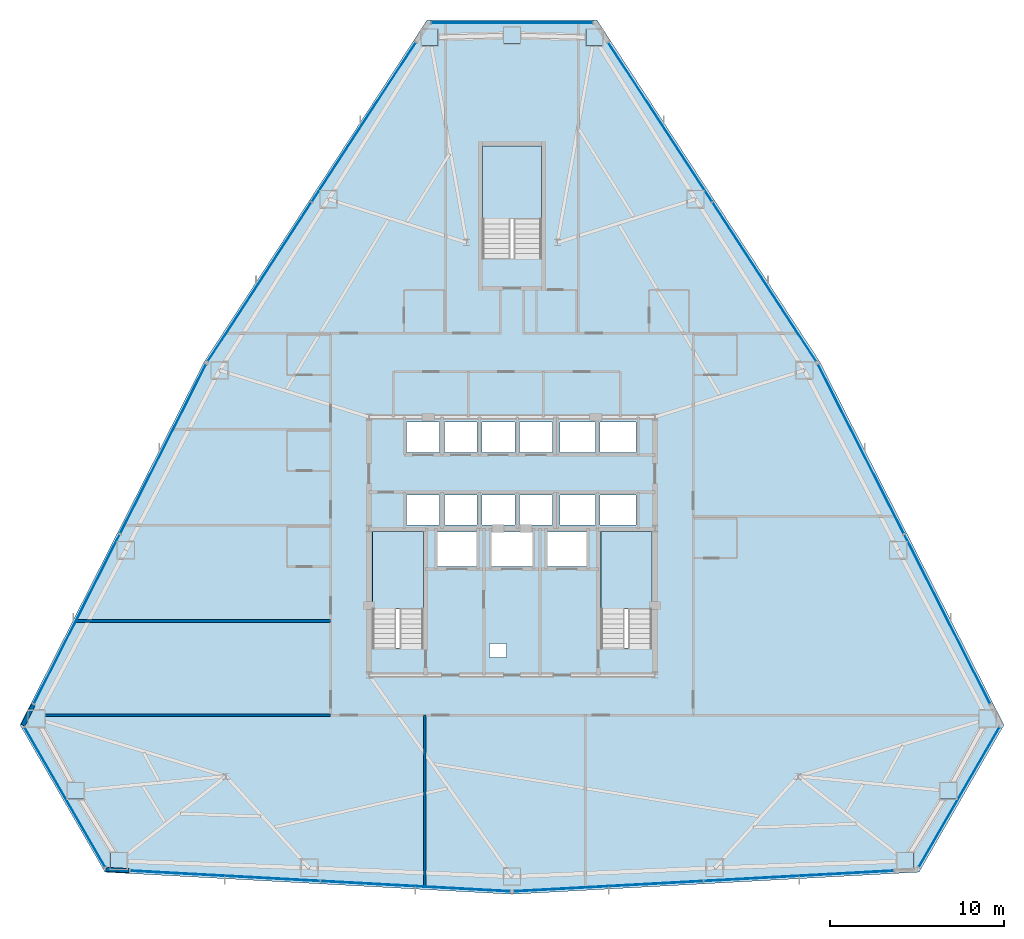
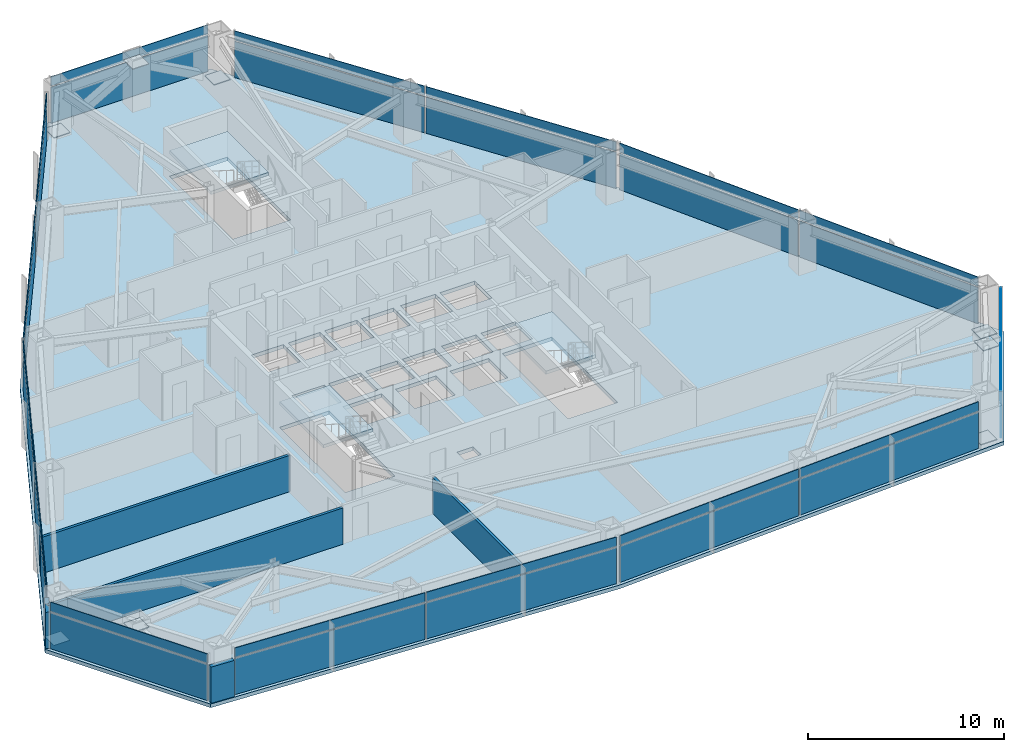
# One storey, part 8 of 12: 39 plates, 5 walls, 4 slabs, 12 elements without a shape of their own.
"""IFC4 building model written with IfcOpenShell, lengths in metres."""

from ifc_helpers import new_model, si_unit, direction, frame, frame_2d, origin, origin_2d, place, context, subcontext, project, spatial, polyline, rectangle, outline, extrude, source, transform, mapped, material, layer, layer_set, type_object, type_shapes, element, aggregate, save


model = new_model("IFC4")

# Units and contexts
model_context = context("Model", 3, precision=1e-05, world=origin(), true_north=direction((0.0, 1.0)))
body_context = subcontext(model_context, "Body", "Model", "MODEL_VIEW")
ifc_project = project(units=[si_unit("LENGTHUNIT", "METRE"), si_unit("AREAUNIT", "SQUARE_METRE"), si_unit("VOLUMEUNIT", "CUBIC_METRE"), si_unit("PLANEANGLEUNIT", "RADIAN"), si_unit("MASSUNIT", "GRAM", prefix="KILO")], contexts=[model_context])

# Site, building, storey
site_placement = place(None, origin())
site = spatial("IfcSite", under=ifc_project, at=site_placement, CompositionType="ELEMENT")
building_placement = place(site_placement, origin())
building = spatial("IfcBuilding", under=site, at=building_placement, Name="Varakhsha Concourse Tower", CompositionType="ELEMENT")
storey_placement = place(building_placement, frame((0.0, 0.0, 73.39990234375)))
storey = spatial("IfcBuildingStorey", under=building, at=storey_placement, Name="L20", CompositionType="ELEMENT", Elevation=73.39990234375)

# Slab
ifc_material_1 = material(Name="Concrete fc 45 MPa", Category="concrete")
ifc_layer_1 = layer(ifc_material_1, 0.22998046875, Name="SL-FLR-230")
ifc_layer_set_1 = layer_set([ifc_layer_1], Name="Concrete fc 45 MPa")
slab_type_1 = type_object("IfcSlabType", Name="SL-FLR-230", PredefinedType="FLOOR", material=ifc_layer_set_1)
slab_1_placement = place(storey_placement, frame((0.0, 0.0, -0.22998046875)))
element("IfcSlab", 1, at=slab_1_placement, inside=storey, type_object=slab_type_1, Name="L20 Composite Structural Slab", PredefinedType="FLOOR", context=body_context, shape_type="SweptSolid", body=[
    extrude(outline(polyline([(44.87158203125, 53.96240234375), (35.12841796875, 53.96240234375), (22.360595703125, 34.384033203125), (11.789306640625, 13.53759765625), (16.66064453125, 5.10009765625), (40.0, 3.831787109375), (63.33935546875, 5.10009765625), (68.210693359375, 13.53759765625), (57.639404296875, 34.384033203125), (44.87158203125, 53.96240234375)]), holes=[polyline([(34.919921875, 17.93994140625), (34.919921875, 24.6298828125), (32.0, 24.6298828125), (32.0, 17.93994140625), (34.919921875, 17.93994140625)]), polyline([(48.02001953125, 17.93994140625), (48.02001953125, 24.6298828125), (45.10009765625, 24.6298828125), (45.10009765625, 17.93994140625), (48.02001953125, 17.93994140625)]), polyline([(41.699951171875, 40.300048828125), (41.699951171875, 46.75), (38.300048828125, 46.75), (38.300048828125, 40.300048828125), (41.699951171875, 40.300048828125)]), polyline([(33.9599609375, 29.159912109375), (35.840087890625, 29.159912109375), (35.840087890625, 30.89990234375), (33.9599609375, 30.89990234375), (33.9599609375, 29.159912109375)]), polyline([(36.1201171875, 29.159912109375), (38.0, 29.159912109375), (38.0, 30.89990234375), (36.1201171875, 30.89990234375), (36.1201171875, 29.159912109375)]), polyline([(38.280029296875, 29.159912109375), (40.159912109375, 29.159912109375), (40.159912109375, 30.89990234375), (38.280029296875, 30.89990234375), (38.280029296875, 29.159912109375)]), polyline([(40.43994140625, 29.159912109375), (42.320068359375, 29.159912109375), (42.320068359375, 30.89990234375), (40.43994140625, 30.89990234375), (40.43994140625, 29.159912109375)]), polyline([(33.9599609375, 25.0), (35.840087890625, 25.0), (35.840087890625, 26.739990234375), (33.9599609375, 26.739990234375), (33.9599609375, 25.0)]), polyline([(36.1201171875, 25.0), (38.0, 25.0), (38.0, 26.739990234375), (36.1201171875, 26.739990234375), (36.1201171875, 25.0)]), polyline([(38.280029296875, 25.0), (40.159912109375, 25.0), (40.159912109375, 26.739990234375), (38.280029296875, 26.739990234375), (38.280029296875, 25.0)]), polyline([(40.43994140625, 25.0), (42.320068359375, 25.0), (42.320068359375, 26.739990234375), (40.43994140625, 26.739990234375), (40.43994140625, 25.0)]), polyline([(42.739990234375, 29.159912109375), (44.780029296875, 29.159912109375), (44.780029296875, 30.89990234375), (42.739990234375, 30.89990234375), (42.739990234375, 29.159912109375)]), polyline([(45.06005859375, 29.159912109375), (47.10009765625, 29.159912109375), (47.10009765625, 30.89990234375), (45.06005859375, 30.89990234375), (45.06005859375, 29.159912109375)]), polyline([(42.739990234375, 25.0), (44.780029296875, 25.0), (44.780029296875, 26.739990234375), (42.739990234375, 26.739990234375), (42.739990234375, 25.0)]), polyline([(45.06005859375, 25.0), (47.10009765625, 25.0), (47.10009765625, 26.739990234375), (45.06005859375, 26.739990234375), (45.06005859375, 25.0)]), polyline([(35.7099609375, 22.639892578125), (37.989990234375, 22.639892578125), (37.989990234375, 24.60009765625), (35.7099609375, 24.60009765625), (35.7099609375, 22.639892578125)]), polyline([(42.010009765625, 22.639892578125), (44.2900390625, 22.639892578125), (44.2900390625, 24.60009765625), (42.010009765625, 24.60009765625), (42.010009765625, 22.639892578125)]), polyline([(38.81005859375, 22.639892578125), (41.18994140625, 22.639892578125), (41.18994140625, 24.60009765625), (38.81005859375, 24.60009765625), (38.81005859375, 22.639892578125)]), polyline([(38.719970703125, 17.39990234375), (39.679931640625, 17.39990234375), (39.679931640625, 18.199951171875), (38.719970703125, 18.199951171875), (38.719970703125, 17.39990234375)])]), origin(), (0.0, 0.0, 1.0), 0.22998046875),
])

# Stair, slab
stair_type_1 = type_object("IfcStairType", Name="ST-DOGLEG-1360", PredefinedType="HALF_TURN_STAIR", material=ifc_material_1)
stair_1_placement = place(storey_placement, origin())
stair_1 = element("IfcStair", 2, at=stair_1_placement, inside=storey, type_object=stair_type_1, Name="L20 Protected Exit Stair ST1", PredefinedType="HALF_TURN_STAIR")
ifc_layer_2 = layer(ifc_material_1, 0.199951171875, Name="SL-LAND-200")
ifc_layer_set_2 = layer_set([ifc_layer_2], Name="Concrete fc 45 MPa")
slab_type_2 = type_object("IfcSlabType", Name="SL-LAND-200", PredefinedType="LANDING", material=ifc_layer_set_2)
slab_2_placement = place(storey_placement, frame((0.0, 0.0, 1.400146484375)))
slab_2 = element("IfcSlab", 3, at=slab_2_placement, type_object=slab_type_2, Name="ST1 landing 1", PredefinedType="LANDING", context=body_context, shape_type="SweptSolid", body=[
    extrude(outline(polyline([(34.919921875, 20.179931640625), (34.919921875, 24.6298828125), (32.0, 24.6298828125), (32.0, 20.179931640625), (34.919921875, 20.179931640625)])), origin(), (0.0, 0.0, 1.0), 0.199951171875),
])
aggregate(stair_1, [slab_2])

stair_2_placement = place(storey_placement, origin())
stair_2 = element("IfcStair", 4, at=stair_2_placement, inside=storey, type_object=stair_type_1, Name="L20 Protected Exit Stair ST2", PredefinedType="HALF_TURN_STAIR")
slab_3_placement = place(storey_placement, frame((0.0, 0.0, 1.400146484375)))
slab_3 = element("IfcSlab", 5, at=slab_3_placement, type_object=slab_type_2, Name="ST2 landing 1", PredefinedType="LANDING", context=body_context, shape_type="SweptSolid", body=[
    extrude(outline(polyline([(48.02001953125, 20.179931640625), (48.02001953125, 24.6298828125), (45.10009765625, 24.6298828125), (45.10009765625, 20.179931640625), (48.02001953125, 20.179931640625)])), origin(), (0.0, 0.0, 1.0), 0.199951171875),
])
aggregate(stair_2, [slab_3])

stair_type_2 = type_object("IfcStairType", Name="ST-DOGLEG-1600", PredefinedType="HALF_TURN_STAIR", material=ifc_material_1)
stair_3_placement = place(storey_placement, origin())
stair_3 = element("IfcStair", 6, at=stair_3_placement, inside=storey, type_object=stair_type_2, Name="L20 Protected Exit Stair ST5", PredefinedType="HALF_TURN_STAIR")
slab_4_placement = place(storey_placement, frame((0.0, 0.0, 1.400146484375)))
slab_4 = element("IfcSlab", 7, at=slab_4_placement, type_object=slab_type_2, Name="ST5 landing 1", PredefinedType="LANDING", context=body_context, shape_type="SweptSolid", body=[
    extrude(outline(polyline([(41.699951171875, 42.5400390625), (41.699951171875, 46.75), (38.300048828125, 46.75), (38.300048828125, 42.5400390625), (41.699951171875, 42.5400390625)])), origin(), (0.0, 0.0, 1.0), 0.199951171875),
])
aggregate(stair_3, [slab_4])

# Plates
ifc_material_2 = material(Name="Structural Steel ASTM A572 Grade 50", Category="steel")
ifc_layer_3 = layer(ifc_material_2, 0.030029296875, Name="PL-ENDCAP-950")
ifc_layer_set_3 = layer_set([ifc_layer_3], Name="Structural Steel ASTM A572 Grade 50")
plate_type_1 = type_object("IfcPlateType", Name="PL-ENDCAP-950", PredefinedType="USERDEFINED", material=ifc_layer_set_3)
shared_shape_1 = source(origin(), body_context, "Body", "SweptSolid", [
    extrude(rectangle(XDim=0.949951171875, YDim=0.949951171875, at=origin_2d()), origin(), (0.0, 0.0, 1.0), 0.030029296875),
])
type_shapes(plate_type_1, [shared_shape_1])
for number, where, z_axis, x_axis, name in (
    (8, (44.7080078125, 52.963623046875, 0.10498046875), (0.0, 0.0, 1.0), (1.0, 0.0, 0.0), "Hollow Section End Cap GP-NODE-L20-0184"),
    (9, (40.0, 53.08251953125, 2.6552734375), (0.0, 0.0, 1.0), (1.0, 0.0, 0.0), "Hollow Section End Cap GP-NODE-L20-0185"),
    (10, (35.2919921875, 52.963623046875, 0.10498046875), (0.0, 0.0, 1.0), (1.0, 0.0, 0.0), "Hollow Section End Cap GP-NODE-L20-0186"),
    (11, (12.73583984375, 13.8955078125, 0.10498046875), (0.0, 0.0, 1.0), (1.0, 0.0, 0.0), "Hollow Section End Cap GP-NODE-L20-0187"),
    (12, (14.987060546875, 9.7587890625, 2.6552734375), (0.0, 0.0, 1.0), (1.0, 0.0, 0.0), "Hollow Section End Cap GP-NODE-L20-0188"),
    (13, (17.44384765625, 5.740966796875, 0.10498046875), (0.0, 0.0, 1.0), (1.0, 0.0, 0.0), "Hollow Section End Cap GP-NODE-L20-0189"),
    (14, (62.55615234375, 5.740966796875, 0.10498046875), (0.0, 0.0, 1.0), (1.0, 0.0, 0.0), "Hollow Section End Cap GP-NODE-L20-0190"),
    (15, (65.012939453125, 9.7587890625, 2.6552734375), (0.0, 0.0, 1.0), (1.0, 0.0, 0.0), "Hollow Section End Cap GP-NODE-L20-0191"),
    (16, (67.26416015625, 13.8955078125, 0.10498046875), (0.0, 0.0, 1.0), (1.0, 0.0, 0.0), "Hollow Section End Cap GP-NODE-L20-0192"),
):
    element("IfcPlate", number, at=place(storey_placement, frame(where, z_axis=z_axis, x_axis=x_axis)), inside=storey, type_object=plate_type_1, Name=name, ObjectType="END PLATE", PredefinedType="USERDEFINED", context=body_context, shape_type="MappedRepresentation", body=[
        mapped(shared_shape_1, transform((0.0, 0.0, 0.0), scale=1.0)),
    ])

# Curtain wall, plates
ifc_material_3 = material(Name="Anodised Bronze Architectural Aluminium AA 6063-T6", Category="aluminium")
ifc_layer_4 = layer(ifc_material_3, 0.199951171875, Name="CW-SYS-03")
ifc_layer_set_4 = layer_set([ifc_layer_4], Name="Anodised Bronze Architectural Aluminium AA 6063-T6")
curtain_wall_type = type_object("IfcCurtainWallType", Name="CW-SYS-03", PredefinedType="NOTDEFINED", material=ifc_layer_set_4)
curtain_wall_1_placement = place(storey_placement, origin())
curtain_wall_1 = element("IfcCurtainWall", 17, at=curtain_wall_1_placement, inside=storey, type_object=curtain_wall_type, Name="L20 Chamfer Curtain Wall F1", PredefinedType="NOTDEFINED")
ifc_material_4 = material(Name="Insulated Anodised Bronze Aluminium Spandrel 36 mm", Category="aluminium")
ifc_layer_5 = layer(ifc_material_4, 0.035888671875, Name="CWP-SPN-36")
ifc_layer_set_5 = layer_set([ifc_layer_5], Name="Insulated Anodised Bronze Aluminium Spandrel 36 mm")
plate_type_2 = type_object("IfcPlateType", Name="CWP-SPN-36", PredefinedType="USERDEFINED", material=ifc_layer_set_5)
shared_shape_2 = source(origin(), body_context, "Body", "SweptSolid", [
    extrude(rectangle(XDim=9.22412109375, YDim=0.035888671875, at=origin_2d()), origin(), (0.0, 0.0, 1.0), 2.2509765625),
])
plate_1_placement = place(storey_placement, frame((40.0, 53.802490234375, 0.03466796875), z_axis=(0.0, 0.0, 1.0), x_axis=(1.0, 0.0, 0.0)))
plate_1 = element("IfcPlate", 18, at=plate_1_placement, type_object=plate_type_2, Name="CW-L20-F1 Panel 00-00", ObjectType="SPANDREL", PredefinedType="USERDEFINED", context=body_context, shape_type="MappedRepresentation", body=[
    mapped(shared_shape_2, transform((0.0, 0.0, 0.0), scale=1.0)),
])
ifc_material_5 = material(Name="Glazed Turquoise-Bronze Ceramic Spandrel Panel 38 mm", Category="ceramic")
ifc_layer_6 = layer(ifc_material_5, 0.0380859375, Name="CWP-SPN-38")
ifc_layer_set_6 = layer_set([ifc_layer_6], Name="Glazed Turquoise-Bronze Ceramic Spandrel Panel 38 mm")
plate_type_3 = type_object("IfcPlateType", Name="CWP-SPN-38", PredefinedType="USERDEFINED", material=ifc_layer_set_6)
shared_shape_3 = source(origin(), body_context, "Body", "SweptSolid", [
    extrude(rectangle(XDim=9.22412109375, YDim=0.0380859375, at=origin_2d()), origin(), (0.0, 0.0, 1.0), 0.5810546875),
])
plate_2_placement = place(storey_placement, frame((40.0, 53.802490234375, 2.3544921875), z_axis=(0.0, 0.0, 1.0), x_axis=(1.0, 0.0, 0.0)))
plate_2 = element("IfcPlate", 19, at=plate_2_placement, type_object=plate_type_3, Name="CW-L20-F1 Panel 00-01", ObjectType="SPANDREL", PredefinedType="USERDEFINED", context=body_context, shape_type="MappedRepresentation", body=[
    mapped(shared_shape_3, transform((0.0, 0.0, 0.0), scale=1.0)),
])
aggregate(curtain_wall_1, [plate_1, plate_2])

curtain_wall_2_placement = place(storey_placement, origin())
curtain_wall_2 = element("IfcCurtainWall", 20, at=curtain_wall_2_placement, inside=storey, type_object=curtain_wall_type, Name="L20 Crystal Curtain Wall F2", PredefinedType="NOTDEFINED")
ifc_material_6 = material(Name="Low-E Triple Insulating Glass IGU 44 mm", Category="glass")
ifc_layer_7 = layer(ifc_material_6, 0.0439453125, Name="CWP-IGU-44")
ifc_layer_set_7 = layer_set([ifc_layer_7], Name="Low-E Triple Insulating Glass IGU 44 mm")
plate_type_4 = type_object("IfcPlateType", Name="CWP-IGU-44", PredefinedType="CURTAIN_PANEL", material=ifc_layer_set_7)
shared_shape_4 = source(origin(), body_context, "Body", "SweptSolid", [
    extrude(rectangle(XDim=10.85791015625, YDim=0.0439453125, at=origin_2d()), origin(), (0.0, 0.0, 1.0), 2.2509765625),
])
type_shapes(plate_type_4, [shared_shape_4])
plate_3_placement = place(storey_placement, frame((25.525390625, 38.944091796875, 0.03466796875), z_axis=(0.0, 0.0, 1.0), x_axis=(0.546249624122, 0.837622437705, 0.0)))
plate_3 = element("IfcPlate", 21, at=plate_3_placement, type_object=plate_type_4, Name="CW-L20-F2 Panel 00-00", PredefinedType="CURTAIN_PANEL", context=body_context, shape_type="MappedRepresentation", body=[
    mapped(shared_shape_4, transform((0.0, 0.0, 0.0), scale=1.0)),
])
plate_4_placement = place(storey_placement, frame((31.499755859375, 48.10498046875, 0.03466796875), z_axis=(0.0, 0.0, 1.0), x_axis=(0.546249624122, 0.837622437705, 0.0)))
plate_4 = element("IfcPlate", 22, at=plate_4_placement, type_object=plate_type_4, Name="CW-L20-F2 Panel 01-00", PredefinedType="CURTAIN_PANEL", context=body_context, shape_type="MappedRepresentation", body=[
    mapped(shared_shape_4, transform((0.0, 0.0, 0.0), scale=1.0)),
])

curtain_wall_3_placement = place(storey_placement, origin())
curtain_wall_3 = element("IfcCurtainWall", 23, at=curtain_wall_3_placement, inside=storey, type_object=curtain_wall_type, Name="L20 Crystal Curtain Wall F3", PredefinedType="NOTDEFINED")
plate_5_placement = place(storey_placement, frame((15.04736328125, 19.60888671875, 0.03466796875), z_axis=(0.0, 0.0, 1.0), x_axis=(0.45227438453, 0.891878848891, 0.0)))
plate_5 = element("IfcPlate", 24, at=plate_5_placement, type_object=plate_type_4, Name="CW-L20-F3 Panel 00-00", PredefinedType="CURTAIN_PANEL", context=body_context, shape_type="MappedRepresentation", body=[
    mapped(shared_shape_4, transform((0.0, 0.0, 0.0), scale=1.0)),
])
plate_6_placement = place(storey_placement, frame((19.993896484375, 29.36328125, 0.03466796875), z_axis=(0.0, 0.0, 1.0), x_axis=(0.45227438453, 0.891878848891, 0.0)))
plate_6 = element("IfcPlate", 25, at=plate_6_placement, type_object=plate_type_4, Name="CW-L20-F3 Panel 01-00", PredefinedType="CURTAIN_PANEL", context=body_context, shape_type="MappedRepresentation", body=[
    mapped(shared_shape_4, transform((0.0, 0.0, 0.0), scale=1.0)),
])

curtain_wall_4_placement = place(storey_placement, origin())
curtain_wall_4 = element("IfcCurtainWall", 26, at=curtain_wall_4_placement, inside=storey, type_object=curtain_wall_type, Name="L20 Crystal Curtain Wall F5", PredefinedType="NOTDEFINED")
plate_7_placement = place(storey_placement, frame((34.468505859375, 4.29248046875, 0.03466796875), z_axis=(0.0, 0.0, 1.0), x_axis=(-0.998527027199, 0.054256575203, 0.0)))
plate_7 = element("IfcPlate", 27, at=plate_7_placement, type_object=plate_type_4, Name="CW-L20-F5 Panel 00-00", PredefinedType="CURTAIN_PANEL", context=body_context, shape_type="MappedRepresentation", body=[
    mapped(shared_shape_4, transform((0.0, 0.0, 0.0), scale=1.0)),
])
plate_8_placement = place(storey_placement, frame((23.547607421875, 4.885986328125, 0.03466796875), z_axis=(0.0, 0.0, 1.0), x_axis=(-0.998527027199, 0.054256575203, 0.0)))
plate_8 = element("IfcPlate", 28, at=plate_8_placement, type_object=plate_type_4, Name="CW-L20-F5 Panel 01-00", PredefinedType="CURTAIN_PANEL", context=body_context, shape_type="MappedRepresentation", body=[
    mapped(shared_shape_4, transform((0.0, 0.0, 0.0), scale=1.0)),
])

curtain_wall_5_placement = place(storey_placement, origin())
curtain_wall_5 = element("IfcCurtainWall", 29, at=curtain_wall_5_placement, inside=storey, type_object=curtain_wall_type, Name="L20 Crystal Curtain Wall F6", PredefinedType="NOTDEFINED")
plate_9_placement = place(storey_placement, frame((56.452392578125, 4.885986328125, 0.03466796875), z_axis=(0.0, 0.0, 1.0), x_axis=(-0.998527027199, -0.054256575203, 0.0)))
plate_9 = element("IfcPlate", 30, at=plate_9_placement, type_object=plate_type_4, Name="CW-L20-F6 Panel 00-00", PredefinedType="CURTAIN_PANEL", context=body_context, shape_type="MappedRepresentation", body=[
    mapped(shared_shape_4, transform((0.0, 0.0, 0.0), scale=1.0)),
])
plate_10_placement = place(storey_placement, frame((45.531494140625, 4.29248046875, 0.03466796875), z_axis=(0.0, 0.0, 1.0), x_axis=(-0.998527027199, -0.054256575203, 0.0)))
plate_10 = element("IfcPlate", 31, at=plate_10_placement, type_object=plate_type_4, Name="CW-L20-F6 Panel 01-00", PredefinedType="CURTAIN_PANEL", context=body_context, shape_type="MappedRepresentation", body=[
    mapped(shared_shape_4, transform((0.0, 0.0, 0.0), scale=1.0)),
])

curtain_wall_6_placement = place(storey_placement, origin())
curtain_wall_6 = element("IfcCurtainWall", 32, at=curtain_wall_6_placement, inside=storey, type_object=curtain_wall_type, Name="L20 Crystal Curtain Wall F8", PredefinedType="NOTDEFINED")
plate_11_placement = place(storey_placement, frame((60.006103515625, 29.36328125, 0.03466796875), z_axis=(0.0, 0.0, 1.0), x_axis=(0.45227438453, -0.891878848891, 0.0)))
plate_11 = element("IfcPlate", 33, at=plate_11_placement, type_object=plate_type_4, Name="CW-L20-F8 Panel 00-00", PredefinedType="CURTAIN_PANEL", context=body_context, shape_type="MappedRepresentation", body=[
    mapped(shared_shape_4, transform((0.0, 0.0, 0.0), scale=1.0)),
])
plate_12_placement = place(storey_placement, frame((64.95263671875, 19.60888671875, 0.03466796875), z_axis=(0.0, 0.0, 1.0), x_axis=(0.45227438453, -0.891878848891, 0.0)))
plate_12 = element("IfcPlate", 34, at=plate_12_placement, type_object=plate_type_4, Name="CW-L20-F8 Panel 01-00", PredefinedType="CURTAIN_PANEL", context=body_context, shape_type="MappedRepresentation", body=[
    mapped(shared_shape_4, transform((0.0, 0.0, 0.0), scale=1.0)),
])

curtain_wall_7_placement = place(storey_placement, origin())
curtain_wall_7 = element("IfcCurtainWall", 35, at=curtain_wall_7_placement, inside=storey, type_object=curtain_wall_type, Name="L20 Crystal Curtain Wall F9", PredefinedType="NOTDEFINED")
plate_13_placement = place(storey_placement, frame((48.500244140625, 48.10498046875, 0.03466796875), z_axis=(0.0, 0.0, 1.0), x_axis=(0.546249624122, -0.837622437705, 0.0)))
plate_13 = element("IfcPlate", 36, at=plate_13_placement, type_object=plate_type_4, Name="CW-L20-F9 Panel 00-00", PredefinedType="CURTAIN_PANEL", context=body_context, shape_type="MappedRepresentation", body=[
    mapped(shared_shape_4, transform((0.0, 0.0, 0.0), scale=1.0)),
])
plate_14_placement = place(storey_placement, frame((54.474609375, 38.944091796875, 0.03466796875), z_axis=(0.0, 0.0, 1.0), x_axis=(0.546249624122, -0.837622437705, 0.0)))
plate_14 = element("IfcPlate", 37, at=plate_14_placement, type_object=plate_type_4, Name="CW-L20-F9 Panel 01-00", PredefinedType="CURTAIN_PANEL", context=body_context, shape_type="MappedRepresentation", body=[
    mapped(shared_shape_4, transform((0.0, 0.0, 0.0), scale=1.0)),
])

# Plate
shared_shape_5 = source(origin(), body_context, "Body", "SweptSolid", [
    extrude(rectangle(XDim=10.85791015625, YDim=0.0380859375, at=origin_2d()), origin(), (0.0, 0.0, 1.0), 0.5810546875),
])
plate_15_placement = place(storey_placement, frame((25.525390625, 38.944091796875, 2.3544921875), z_axis=(0.0, 0.0, 1.0), x_axis=(0.546249624122, 0.837622437705, 0.0)))
plate_15 = element("IfcPlate", 38, at=plate_15_placement, type_object=plate_type_3, Name="CW-L20-F2 Panel 00-01", ObjectType="SPANDREL", PredefinedType="USERDEFINED", context=body_context, shape_type="MappedRepresentation", body=[
    mapped(shared_shape_5, transform((0.0, 0.0, 0.0), scale=1.0)),
])

plate_16_placement = place(storey_placement, frame((31.499755859375, 48.10498046875, 2.3544921875), z_axis=(0.0, 0.0, 1.0), x_axis=(0.546249624122, 0.837622437705, 0.0)))
plate_16 = element("IfcPlate", 39, at=plate_16_placement, type_object=plate_type_3, Name="CW-L20-F2 Panel 01-01", ObjectType="SPANDREL", PredefinedType="USERDEFINED", context=body_context, shape_type="MappedRepresentation", body=[
    mapped(shared_shape_5, transform((0.0, 0.0, 0.0), scale=1.0)),
])

aggregate(curtain_wall_2, [plate_3, plate_15, plate_4, plate_16])

plate_17_placement = place(storey_placement, frame((15.04736328125, 19.60888671875, 2.3544921875), z_axis=(0.0, 0.0, 1.0), x_axis=(0.45227438453, 0.891878848891, 0.0)))
plate_17 = element("IfcPlate", 40, at=plate_17_placement, type_object=plate_type_3, Name="CW-L20-F3 Panel 00-01", ObjectType="SPANDREL", PredefinedType="USERDEFINED", context=body_context, shape_type="MappedRepresentation", body=[
    mapped(shared_shape_5, transform((0.0, 0.0, 0.0), scale=1.0)),
])

plate_18_placement = place(storey_placement, frame((19.993896484375, 29.36328125, 2.3544921875), z_axis=(0.0, 0.0, 1.0), x_axis=(0.45227438453, 0.891878848891, 0.0)))
plate_18 = element("IfcPlate", 41, at=plate_18_placement, type_object=plate_type_3, Name="CW-L20-F3 Panel 01-01", ObjectType="SPANDREL", PredefinedType="USERDEFINED", context=body_context, shape_type="MappedRepresentation", body=[
    mapped(shared_shape_5, transform((0.0, 0.0, 0.0), scale=1.0)),
])

aggregate(curtain_wall_3, [plate_5, plate_17, plate_6, plate_18])

plate_19_placement = place(storey_placement, frame((34.468505859375, 4.29248046875, 2.3544921875), z_axis=(0.0, 0.0, 1.0), x_axis=(-0.998527027199, 0.054256575203, 0.0)))
plate_19 = element("IfcPlate", 42, at=plate_19_placement, type_object=plate_type_3, Name="CW-L20-F5 Panel 00-01", ObjectType="SPANDREL", PredefinedType="USERDEFINED", context=body_context, shape_type="MappedRepresentation", body=[
    mapped(shared_shape_5, transform((0.0, 0.0, 0.0), scale=1.0)),
])

plate_20_placement = place(storey_placement, frame((23.547607421875, 4.885986328125, 2.3544921875), z_axis=(0.0, 0.0, 1.0), x_axis=(-0.998527027199, 0.054256575203, 0.0)))
plate_20 = element("IfcPlate", 43, at=plate_20_placement, type_object=plate_type_3, Name="CW-L20-F5 Panel 01-01", ObjectType="SPANDREL", PredefinedType="USERDEFINED", context=body_context, shape_type="MappedRepresentation", body=[
    mapped(shared_shape_5, transform((0.0, 0.0, 0.0), scale=1.0)),
])

aggregate(curtain_wall_4, [plate_7, plate_19, plate_8, plate_20])

plate_21_placement = place(storey_placement, frame((56.452392578125, 4.885986328125, 2.3544921875), z_axis=(0.0, 0.0, 1.0), x_axis=(-0.998527027199, -0.054256575203, 0.0)))
plate_21 = element("IfcPlate", 44, at=plate_21_placement, type_object=plate_type_3, Name="CW-L20-F6 Panel 00-01", ObjectType="SPANDREL", PredefinedType="USERDEFINED", context=body_context, shape_type="MappedRepresentation", body=[
    mapped(shared_shape_5, transform((0.0, 0.0, 0.0), scale=1.0)),
])

plate_22_placement = place(storey_placement, frame((45.531494140625, 4.29248046875, 2.3544921875), z_axis=(0.0, 0.0, 1.0), x_axis=(-0.998527027199, -0.054256575203, 0.0)))
plate_22 = element("IfcPlate", 45, at=plate_22_placement, type_object=plate_type_3, Name="CW-L20-F6 Panel 01-01", ObjectType="SPANDREL", PredefinedType="USERDEFINED", context=body_context, shape_type="MappedRepresentation", body=[
    mapped(shared_shape_5, transform((0.0, 0.0, 0.0), scale=1.0)),
])

aggregate(curtain_wall_5, [plate_9, plate_21, plate_10, plate_22])

plate_23_placement = place(storey_placement, frame((60.006103515625, 29.36328125, 2.3544921875), z_axis=(0.0, 0.0, 1.0), x_axis=(0.45227438453, -0.891878848891, 0.0)))
plate_23 = element("IfcPlate", 46, at=plate_23_placement, type_object=plate_type_3, Name="CW-L20-F8 Panel 00-01", ObjectType="SPANDREL", PredefinedType="USERDEFINED", context=body_context, shape_type="MappedRepresentation", body=[
    mapped(shared_shape_5, transform((0.0, 0.0, 0.0), scale=1.0)),
])

plate_24_placement = place(storey_placement, frame((64.95263671875, 19.60888671875, 2.3544921875), z_axis=(0.0, 0.0, 1.0), x_axis=(0.45227438453, -0.891878848891, 0.0)))
plate_24 = element("IfcPlate", 47, at=plate_24_placement, type_object=plate_type_3, Name="CW-L20-F8 Panel 01-01", ObjectType="SPANDREL", PredefinedType="USERDEFINED", context=body_context, shape_type="MappedRepresentation", body=[
    mapped(shared_shape_5, transform((0.0, 0.0, 0.0), scale=1.0)),
])

aggregate(curtain_wall_6, [plate_11, plate_23, plate_12, plate_24])

plate_25_placement = place(storey_placement, frame((48.500244140625, 48.10498046875, 2.3544921875), z_axis=(0.0, 0.0, 1.0), x_axis=(0.546249624122, -0.837622437705, 0.0)))
plate_25 = element("IfcPlate", 48, at=plate_25_placement, type_object=plate_type_3, Name="CW-L20-F9 Panel 00-01", ObjectType="SPANDREL", PredefinedType="USERDEFINED", context=body_context, shape_type="MappedRepresentation", body=[
    mapped(shared_shape_5, transform((0.0, 0.0, 0.0), scale=1.0)),
])

plate_26_placement = place(storey_placement, frame((54.474609375, 38.944091796875, 2.3544921875), z_axis=(0.0, 0.0, 1.0), x_axis=(0.546249624122, -0.837622437705, 0.0)))
plate_26 = element("IfcPlate", 49, at=plate_26_placement, type_object=plate_type_3, Name="CW-L20-F9 Panel 01-01", ObjectType="SPANDREL", PredefinedType="USERDEFINED", context=body_context, shape_type="MappedRepresentation", body=[
    mapped(shared_shape_5, transform((0.0, 0.0, 0.0), scale=1.0)),
])

aggregate(curtain_wall_7, [plate_13, plate_25, plate_14, plate_26])

# Curtain wall, plate
curtain_wall_8_placement = place(storey_placement, origin())
curtain_wall_8 = element("IfcCurtainWall", 50, at=curtain_wall_8_placement, inside=storey, type_object=curtain_wall_type, Name="L20 Chamfer Curtain Wall F4", PredefinedType="NOTDEFINED")
shared_shape_6 = source(origin(), body_context, "Body", "SweptSolid", [
    extrude(rectangle(XDim=9.223876953125, YDim=0.035888671875, at=origin_2d()), origin(), (0.0, 0.0, 1.0), 2.2509765625),
])
type_shapes(plate_type_2, [shared_shape_2, shared_shape_6])
plate_27_placement = place(storey_placement, frame((14.363525390625, 9.398681640625, 0.03466796875), z_axis=(0.0, 0.0, 1.0), x_axis=(-0.49999395399, 0.866028894422, 0.0)))
plate_27 = element("IfcPlate", 51, at=plate_27_placement, type_object=plate_type_2, Name="CW-L20-F4 Panel 00-00", ObjectType="SPANDREL", PredefinedType="USERDEFINED", context=body_context, shape_type="MappedRepresentation", body=[
    mapped(shared_shape_6, transform((0.0, 0.0, 0.0), scale=1.0)),
])

curtain_wall_9_placement = place(storey_placement, origin())
curtain_wall_9 = element("IfcCurtainWall", 52, at=curtain_wall_9_placement, inside=storey, type_object=curtain_wall_type, Name="L20 Chamfer Curtain Wall F7", PredefinedType="NOTDEFINED")
plate_28_placement = place(storey_placement, frame((65.636474609375, 9.398681640625, 0.03466796875), z_axis=(0.0, 0.0, 1.0), x_axis=(-0.49999395399, -0.866028894422, 0.0)))
plate_28 = element("IfcPlate", 53, at=plate_28_placement, type_object=plate_type_2, Name="CW-L20-F7 Panel 00-00", ObjectType="SPANDREL", PredefinedType="USERDEFINED", context=body_context, shape_type="MappedRepresentation", body=[
    mapped(shared_shape_6, transform((0.0, 0.0, 0.0), scale=1.0)),
])

# Plate
shared_shape_7 = source(origin(), body_context, "Body", "SweptSolid", [
    extrude(rectangle(XDim=9.223876953125, YDim=0.0380859375, at=origin_2d()), origin(), (0.0, 0.0, 1.0), 0.5810546875),
])
type_shapes(plate_type_3, [shared_shape_3, shared_shape_5, shared_shape_7])
plate_29_placement = place(storey_placement, frame((14.363525390625, 9.398681640625, 2.3544921875), z_axis=(0.0, 0.0, 1.0), x_axis=(-0.49999395399, 0.866028894422, 0.0)))
plate_29 = element("IfcPlate", 54, at=plate_29_placement, type_object=plate_type_3, Name="CW-L20-F4 Panel 00-01", ObjectType="SPANDREL", PredefinedType="USERDEFINED", context=body_context, shape_type="MappedRepresentation", body=[
    mapped(shared_shape_7, transform((0.0, 0.0, 0.0), scale=1.0)),
])

aggregate(curtain_wall_8, [plate_27, plate_29])

plate_30_placement = place(storey_placement, frame((65.636474609375, 9.398681640625, 2.3544921875), z_axis=(0.0, 0.0, 1.0), x_axis=(-0.49999395399, -0.866028894422, 0.0)))
plate_30 = element("IfcPlate", 55, at=plate_30_placement, type_object=plate_type_3, Name="CW-L20-F7 Panel 00-01", ObjectType="SPANDREL", PredefinedType="USERDEFINED", context=body_context, shape_type="MappedRepresentation", body=[
    mapped(shared_shape_7, transform((0.0, 0.0, 0.0), scale=1.0)),
])

aggregate(curtain_wall_9, [plate_28, plate_30])

# Walls
ifc_layer_8 = layer(ifc_material_1, 0.239990234375, Name="WL-EXT-CRN-240")
ifc_layer_set_8 = layer_set([ifc_layer_8], Name="Concrete fc 45 MPa")
wall_type_1 = type_object("IfcWallType", Name="WL-EXT-CRN-240", PredefinedType="SHEAR", material=ifc_layer_set_8)
wall_1_placement = place(storey_placement, frame((12.55712890625, 14.6982421875, 0.0), z_axis=(0.0, 0.0, 1.0), x_axis=(-0.452239623624, -0.891896475396, 0.0)))
element("IfcWall", 56, at=wall_1_placement, inside=storey, type_object=wall_type_1, Name="L20 Wind-Corner Shoulder Wall F3", PredefinedType="SHEAR", context=body_context, shape_type="SweptSolid", body=[
    extrude(rectangle(XDim=1.3193359375, YDim=0.239990234375, at=frame_2d((0.65966796875, 0.0))), origin(), (0.0, 0.0, 1.0), 2.253173828125),
])
wall_2_placement = place(storey_placement, frame((16.731201171875, 5.25634765625, 0.0), z_axis=(0.0, 0.0, 1.0), x_axis=(0.998531751411, -0.054169561778, 0.0)))
element("IfcWall", 57, at=wall_2_placement, inside=storey, type_object=wall_type_1, Name="L20 Wind-Corner Shoulder Wall F5", PredefinedType="SHEAR", context=body_context, shape_type="SweptSolid", body=[
    extrude(rectangle(XDim=1.320556640625, YDim=0.239990234375, at=frame_2d((0.66015625, 0.0))), origin(), (0.0, 0.0, 1.0), 2.253173828125),
])
ifc_material_7 = material(Name="Fire-Rated Type X Gypsum Partition Assembly", Category="gypsum")
ifc_layer_9 = layer(ifc_material_7, 0.14990234375, Name="WL-PART-150")
ifc_layer_set_9 = layer_set([ifc_layer_9], Name="Fire-Rated Type X Gypsum Partition Assembly")
wall_type_2 = type_object("IfcWallType", Name="WL-PART-150", PredefinedType="PARTITIONING", material=ifc_layer_set_9)
wall_3_placement = place(storey_placement, frame((35.0, 4.268798828125, 0.0), z_axis=(0.0, 0.0, 1.0), x_axis=(0.0, 1.0, 0.0)))
element("IfcWall", 58, at=wall_3_placement, inside=storey, type_object=wall_type_2, Name="L20 Wall HDIV-S1-L20", PredefinedType="PARTITIONING", context=body_context, shape_type="SweptSolid", body=[
    extrude(rectangle(XDim=9.831298828125, YDim=0.14990234375, at=frame_2d((4.91552734375, 0.0))), origin(), (0.0, 0.0, 1.0), 2.258056640625),
])
wall_4_placement = place(storey_placement, frame((12.259521484375, 14.10009765625, 0.0), z_axis=(0.0, 0.0, 1.0), x_axis=(1.0, 0.0, 0.0)))
element("IfcWall", 59, at=wall_4_placement, inside=storey, type_object=wall_type_2, Name="L20 Wall HDIV-WB0-L20", PredefinedType="PARTITIONING", context=body_context, shape_type="SweptSolid", body=[
    extrude(rectangle(XDim=17.340576171875, YDim=0.14990234375, at=frame_2d((8.67041015625, 0.0))), origin(), (0.0, 0.0, 1.0), 2.258056640625),
])
wall_5_placement = place(storey_placement, frame((14.997802734375, 19.5, 0.0), z_axis=(0.0, 0.0, 1.0), x_axis=(1.0, 0.0, 0.0)))
element("IfcWall", 60, at=wall_5_placement, inside=storey, type_object=wall_type_2, Name="L20 Wall HDIV-W1-L20", PredefinedType="PARTITIONING", context=body_context, shape_type="SweptSolid", body=[
    extrude(rectangle(XDim=14.602294921875, YDim=0.14990234375, at=frame_2d((7.30126953125, 0.0))), origin(), (0.0, 0.0, 1.0), 2.258056640625),
])

save(model, "model.ifc")
